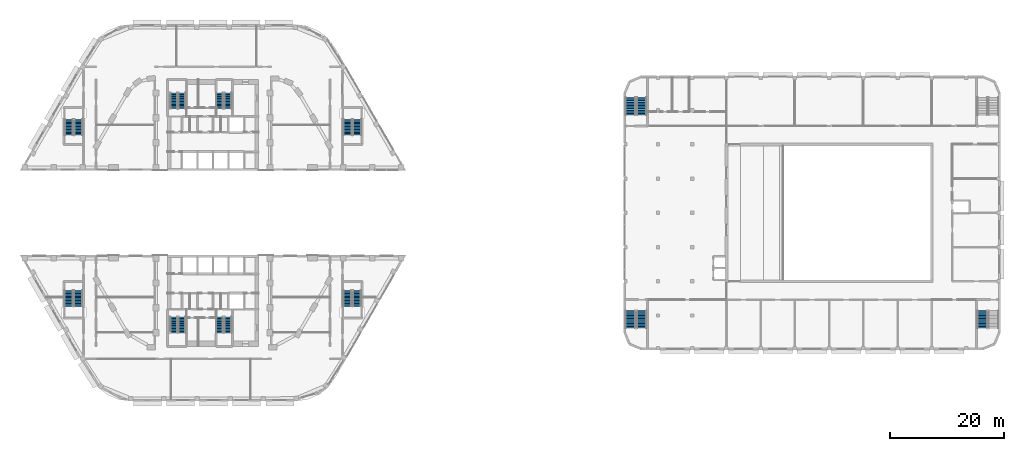
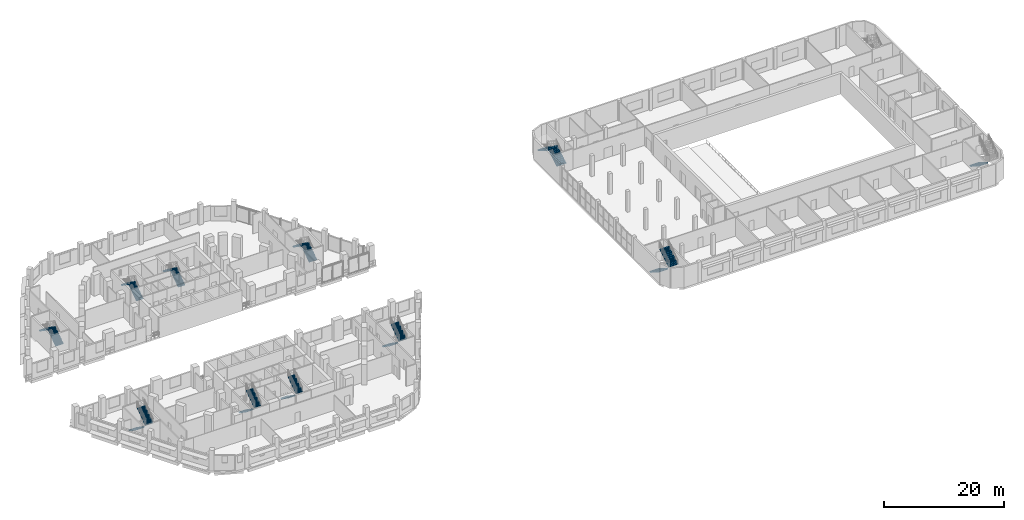
# One storey, part 25 of 45: 21 stair flights, 11 elements without a shape of their own.
"""IFC4 building model written with IfcOpenShell, lengths in metres."""

from ifc_helpers import new_model, si_unit, direction, frame, origin, place, context, subcontext, project, spatial, polyline, outline, extrude, material, type_object, element, aggregate, save


model = new_model("IFC4")

# Units and contexts
model_context = context("Model", 3, precision=1e-05, world=origin(), true_north=direction((0.0, 1.0)))
body_context = subcontext(model_context, "Body", "Model", "MODEL_VIEW")
ifc_project = project(units=[si_unit("LENGTHUNIT", "METRE"), si_unit("AREAUNIT", "SQUARE_METRE"), si_unit("VOLUMEUNIT", "CUBIC_METRE"), si_unit("PLANEANGLEUNIT", "RADIAN"), si_unit("MASSUNIT", "GRAM", prefix="KILO")], contexts=[model_context])

# Site, building, storey
site_placement = place(None, origin())
site = spatial("IfcSite", under=ifc_project, at=site_placement, CompositionType="ELEMENT")
building_placement = place(site_placement, origin())
building = spatial("IfcBuilding", under=site, at=building_placement, Name="Nakaniwa Court", CompositionType="ELEMENT")
storey_placement = place(building_placement, frame((0.0, 0.0, 11.39990234375)))
storey = spatial("IfcBuildingStorey", under=building, at=storey_placement, Name="L02", CompositionType="ELEMENT", Elevation=11.39990234375)

# Stair, stair flights
ifc_material_1 = material(Name="Concrete C40/50", Category="concrete")
stair_type_1 = type_object("IfcStairType", Name="Hall exit stair 24 risers", PredefinedType="HALF_TURN_STAIR", material=ifc_material_1)
stair_1_placement = place(storey_placement, origin())
stair_1 = element("IfcStair", 1, at=stair_1_placement, inside=storey, type_object=stair_type_1, Name="L02 Exit stair 1", PredefinedType="HALF_TURN_STAIR")
stair_flight_type_1 = type_object("IfcStairFlightType", Name="Hall stair flight 12 risers", PredefinedType="STRAIGHT", material=ifc_material_1)
stair_flight_1_placement = place(storey_placement, frame((153.199951171875, 62.860107421875, 0.0), z_axis=(0.0, 0.0, 1.0), x_axis=(0.0, -1.0, 0.0)))
stair_flight_1 = element("IfcStairFlight", 2, at=stair_flight_1_placement, type_object=stair_flight_type_1, Name="ST-H1 flight 1", NumberOfRisers=12, NumberOfTreads=11, PredefinedType="STRAIGHT", RiserHeight=0.175, TreadLength=0.28, context=body_context, shape_type="SweptSolid", body=[
    extrude(outline(polyline([(0.0, 0.0), (0.0, 0.02490234375), (0.0, 0.050048828125), (0.0, 0.074951171875), (0.0, 0.10009765625), (0.0, 0.125), (0.0, 0.14990234375), (0.0, 0.175048828125), (0.280029296875, 0.175048828125), (0.280029296875, 0.35009765625), (0.56005859375, 0.35009765625), (0.56005859375, 0.52490234375), (0.840087890625, 0.52490234375), (0.840087890625, 0.699951171875), (1.1201171875, 0.699951171875), (1.1201171875, 0.875), (1.39990234375, 0.875), (1.39990234375, 1.050048828125), (1.679931640625, 1.050048828125), (1.679931640625, 1.22509765625), (1.9599609375, 1.22509765625), (1.9599609375, 1.39990234375), (2.239990234375, 1.39990234375), (2.239990234375, 1.574951171875), (2.52001953125, 1.574951171875), (2.52001953125, 1.75), (2.800048828125, 1.75), (2.800048828125, 1.925048828125), (3.080078125, 1.925048828125), (3.080078125, 2.10009765625), (3.080078125, 2.0498046875), (3.080078125, 1.99951171875), (3.080078125, 1.94921875), (3.080078125, 1.89892578125), (3.080078125, 1.8486328125), (3.080078125, 1.798583984375), (3.080078125, 1.748291015625), (0.28271484375, 0.0), (0.0, 0.0)])), frame((0.0, 0.89990234375, 0.0), z_axis=(0.0, -1.0, 0.0), x_axis=(1.0, 0.0, 0.0)), (0.0, 0.0, 1.0), 1.800048828125),
])
stair_flight_2_placement = place(storey_placement, frame((155.14990234375, 59.780029296875, 2.10009765625), z_axis=(0.0, 0.0, 1.0), x_axis=(0.0, 1.0, 0.0)))
stair_flight_2 = element("IfcStairFlight", 3, at=stair_flight_2_placement, type_object=stair_flight_type_1, Name="ST-H1 flight 2", NumberOfRisers=12, NumberOfTreads=11, PredefinedType="STRAIGHT", RiserHeight=0.175, TreadLength=0.28, context=body_context, shape_type="SweptSolid", body=[
    extrude(outline(polyline([(0.0, 0.0), (0.0, 0.02490234375), (0.0, 0.050048828125), (0.0, 0.074951171875), (0.0, 0.10009765625), (0.0, 0.125), (0.0, 0.14990234375), (0.0, 0.175048828125), (0.280029296875, 0.175048828125), (0.280029296875, 0.35009765625), (0.56005859375, 0.35009765625), (0.56005859375, 0.52490234375), (0.840087890625, 0.52490234375), (0.840087890625, 0.699951171875), (1.1201171875, 0.699951171875), (1.1201171875, 0.875), (1.39990234375, 0.875), (1.39990234375, 1.050048828125), (1.679931640625, 1.050048828125), (1.679931640625, 1.22509765625), (1.9599609375, 1.22509765625), (1.9599609375, 1.39990234375), (2.239990234375, 1.39990234375), (2.239990234375, 1.574951171875), (2.52001953125, 1.574951171875), (2.52001953125, 1.75), (2.800048828125, 1.75), (2.800048828125, 1.925048828125), (3.080078125, 1.925048828125), (3.080078125, 2.10009765625), (3.080078125, 2.0498046875), (3.080078125, 1.99951171875), (3.080078125, 1.94921875), (3.080078125, 1.89892578125), (3.080078125, 1.8486328125), (3.080078125, 1.798583984375), (3.080078125, 1.748291015625), (0.28271484375, 0.0), (0.0, 0.0)])), frame((0.0, 0.89990234375, 0.0), z_axis=(0.0, -1.0, 0.0), x_axis=(1.0, 0.0, 0.0)), (0.0, 0.0, 1.0), 1.800048828125),
])
aggregate(stair_1, [stair_flight_1, stair_flight_2])

stair_2_placement = place(storey_placement, origin())
stair_2 = element("IfcStair", 4, at=stair_2_placement, inside=storey, type_object=stair_type_1, Name="L02 Exit stair 2", PredefinedType="HALF_TURN_STAIR")
stair_flight_3_placement = place(storey_placement, frame((155.14990234375, 97.139892578125, 0.0), z_axis=(0.0, 0.0, 1.0), x_axis=(0.0, 1.0, 0.0)))
stair_flight_3 = element("IfcStairFlight", 5, at=stair_flight_3_placement, type_object=stair_flight_type_1, Name="ST-H2 flight 1", NumberOfRisers=12, NumberOfTreads=11, PredefinedType="STRAIGHT", RiserHeight=0.175, TreadLength=0.28, context=body_context, shape_type="SweptSolid", body=[
    extrude(outline(polyline([(0.0, 0.0), (0.0, 0.02490234375), (0.0, 0.050048828125), (0.0, 0.074951171875), (0.0, 0.10009765625), (0.0, 0.125), (0.0, 0.14990234375), (0.0, 0.175048828125), (0.280029296875, 0.175048828125), (0.280029296875, 0.35009765625), (0.56005859375, 0.35009765625), (0.56005859375, 0.52490234375), (0.840087890625, 0.52490234375), (0.840087890625, 0.699951171875), (1.1201171875, 0.699951171875), (1.1201171875, 0.875), (1.39990234375, 0.875), (1.39990234375, 1.050048828125), (1.679931640625, 1.050048828125), (1.679931640625, 1.22509765625), (1.9599609375, 1.22509765625), (1.9599609375, 1.39990234375), (2.239990234375, 1.39990234375), (2.239990234375, 1.574951171875), (2.52001953125, 1.574951171875), (2.52001953125, 1.75), (2.800048828125, 1.75), (2.800048828125, 1.925048828125), (3.080078125, 1.925048828125), (3.080078125, 2.10009765625), (3.080078125, 2.0498046875), (3.080078125, 1.99951171875), (3.080078125, 1.94921875), (3.080078125, 1.89892578125), (3.080078125, 1.8486328125), (3.080078125, 1.798583984375), (3.080078125, 1.748291015625), (0.28271484375, 0.0), (0.0, 0.0)])), frame((0.0, 0.89990234375, 0.0), z_axis=(0.0, -1.0, 0.0), x_axis=(1.0, 0.0, 0.0)), (0.0, 0.0, 1.0), 1.800048828125),
])
stair_flight_4_placement = place(storey_placement, frame((153.199951171875, 100.219970703125, 2.10009765625), z_axis=(0.0, 0.0, 1.0), x_axis=(0.0, -1.0, 0.0)))
stair_flight_4 = element("IfcStairFlight", 6, at=stair_flight_4_placement, type_object=stair_flight_type_1, Name="ST-H2 flight 2", NumberOfRisers=12, NumberOfTreads=11, PredefinedType="STRAIGHT", RiserHeight=0.175, TreadLength=0.28, context=body_context, shape_type="SweptSolid", body=[
    extrude(outline(polyline([(0.0, 0.0), (0.0, 0.02490234375), (0.0, 0.050048828125), (0.0, 0.074951171875), (0.0, 0.10009765625), (0.0, 0.125), (0.0, 0.14990234375), (0.0, 0.175048828125), (0.280029296875, 0.175048828125), (0.280029296875, 0.35009765625), (0.56005859375, 0.35009765625), (0.56005859375, 0.52490234375), (0.840087890625, 0.52490234375), (0.840087890625, 0.699951171875), (1.1201171875, 0.699951171875), (1.1201171875, 0.875), (1.39990234375, 0.875), (1.39990234375, 1.050048828125), (1.679931640625, 1.050048828125), (1.679931640625, 1.22509765625), (1.9599609375, 1.22509765625), (1.9599609375, 1.39990234375), (2.239990234375, 1.39990234375), (2.239990234375, 1.574951171875), (2.52001953125, 1.574951171875), (2.52001953125, 1.75), (2.800048828125, 1.75), (2.800048828125, 1.925048828125), (3.080078125, 1.925048828125), (3.080078125, 2.10009765625), (3.080078125, 2.0498046875), (3.080078125, 1.99951171875), (3.080078125, 1.94921875), (3.080078125, 1.89892578125), (3.080078125, 1.8486328125), (3.080078125, 1.798583984375), (3.080078125, 1.748291015625), (0.28271484375, 0.0), (0.0, 0.0)])), frame((0.0, 0.89990234375, 0.0), z_axis=(0.0, -1.0, 0.0), x_axis=(1.0, 0.0, 0.0)), (0.0, 0.0, 1.0), 1.800048828125),
])
aggregate(stair_2, [stair_flight_3, stair_flight_4])

# Stair, stair flight
stair_3_placement = place(storey_placement, origin())
stair_3 = element("IfcStair", 7, at=stair_3_placement, inside=storey, type_object=stair_type_1, Name="L02 Exit stair 3", PredefinedType="HALF_TURN_STAIR")
stair_flight_5_placement = place(storey_placement, frame((214.85009765625, 62.860107421875, 0.0), z_axis=(0.0, 0.0, 1.0), x_axis=(0.0, -1.0, 0.0)))
stair_flight_5 = element("IfcStairFlight", 8, at=stair_flight_5_placement, type_object=stair_flight_type_1, Name="ST-H3 flight 1", NumberOfRisers=12, NumberOfTreads=11, PredefinedType="STRAIGHT", RiserHeight=0.175, TreadLength=0.28, context=body_context, shape_type="SweptSolid", body=[
    extrude(outline(polyline([(0.0, 0.0), (0.0, 0.02490234375), (0.0, 0.050048828125), (0.0, 0.074951171875), (0.0, 0.10009765625), (0.0, 0.125), (0.0, 0.14990234375), (0.0, 0.175048828125), (0.280029296875, 0.175048828125), (0.280029296875, 0.35009765625), (0.56005859375, 0.35009765625), (0.56005859375, 0.52490234375), (0.840087890625, 0.52490234375), (0.840087890625, 0.699951171875), (1.1201171875, 0.699951171875), (1.1201171875, 0.875), (1.39990234375, 0.875), (1.39990234375, 1.050048828125), (1.679931640625, 1.050048828125), (1.679931640625, 1.22509765625), (1.9599609375, 1.22509765625), (1.9599609375, 1.39990234375), (2.239990234375, 1.39990234375), (2.239990234375, 1.574951171875), (2.52001953125, 1.574951171875), (2.52001953125, 1.75), (2.800048828125, 1.75), (2.800048828125, 1.925048828125), (3.080078125, 1.925048828125), (3.080078125, 2.10009765625), (3.080078125, 2.0498046875), (3.080078125, 1.99951171875), (3.080078125, 1.94921875), (3.080078125, 1.89892578125), (3.080078125, 1.8486328125), (3.080078125, 1.798583984375), (3.080078125, 1.748291015625), (0.28271484375, 0.0), (0.0, 0.0)])), frame((0.0, 0.89990234375, 0.0), z_axis=(0.0, -1.0, 0.0), x_axis=(1.0, 0.0, 0.0)), (0.0, 0.0, 1.0), 1.800048828125),
])
aggregate(stair_3, [stair_flight_5])

# Stair, stair flights
ifc_material_2 = material(Name="Concrete C80/100", Category="concrete")
stair_type_2 = type_object("IfcStairType", Name="Dog leg stair 1300 wide 24 risers", PredefinedType="HALF_TURN_STAIR", material=ifc_material_2)
stair_4_placement = place(storey_placement, origin())
stair_4 = element("IfcStair", 9, at=stair_4_placement, inside=storey, type_object=stair_type_2, Name="L02 Stair ST1", PredefinedType="HALF_TURN_STAIR")
stair_flight_type_2 = type_object("IfcStairFlightType", Name="Stair flight 1300 wide 12 risers", PredefinedType="STRAIGHT", material=ifc_material_2)
stair_flight_6_placement = place(storey_placement, frame((74.574951171875, 98.27490234375, 0.0), z_axis=(0.0, 0.0, 1.0), x_axis=(0.0, 1.0, 0.0)))
stair_flight_6 = element("IfcStairFlight", 10, at=stair_flight_6_placement, type_object=stair_flight_type_2, Name="ST1 flight 1", NumberOfRisers=12, NumberOfTreads=11, PredefinedType="STRAIGHT", RiserHeight=0.175, TreadLength=0.25, context=body_context, shape_type="SweptSolid", body=[
    extrude(outline(polyline([(0.0, 0.0), (0.0, 0.02490234375), (0.0, 0.050048828125), (0.0, 0.074951171875), (0.0, 0.10009765625), (0.0, 0.125), (0.0, 0.14990234375), (0.0, 0.175048828125), (0.25, 0.175048828125), (0.25, 0.35009765625), (0.5, 0.35009765625), (0.5, 0.52490234375), (0.75, 0.52490234375), (0.75, 0.699951171875), (1.0, 0.699951171875), (1.0, 0.875), (1.25, 0.875), (1.25, 1.050048828125), (1.5, 1.050048828125), (1.5, 1.22509765625), (1.75, 1.22509765625), (1.75, 1.39990234375), (2.0, 1.39990234375), (2.0, 1.574951171875), (2.25, 1.574951171875), (2.25, 1.75), (2.5, 1.75), (2.5, 1.925048828125), (2.75, 1.925048828125), (2.75, 2.10009765625), (2.75, 2.048828125), (2.75, 1.997802734375), (2.75, 1.946533203125), (2.75, 1.8955078125), (2.75, 1.84423828125), (2.75, 1.793212890625), (2.75, 1.741943359375), (0.261474609375, 0.0), (0.0, 0.0)])), frame((0.0, 0.64990234375, 0.0), z_axis=(0.0, -1.0, 0.0), x_axis=(1.0, 0.0, 0.0)), (0.0, 0.0, 1.0), 1.300048828125),
])
stair_flight_7_placement = place(storey_placement, frame((73.125, 101.02490234375, 2.10009765625), z_axis=(0.0, 0.0, 1.0), x_axis=(0.0, -1.0, 0.0)))
stair_flight_7 = element("IfcStairFlight", 11, at=stair_flight_7_placement, type_object=stair_flight_type_2, Name="ST1 flight 2", NumberOfRisers=12, NumberOfTreads=11, PredefinedType="STRAIGHT", RiserHeight=0.175, TreadLength=0.25, context=body_context, shape_type="SweptSolid", body=[
    extrude(outline(polyline([(0.0, 0.0), (0.0, 0.02490234375), (0.0, 0.050048828125), (0.0, 0.074951171875), (0.0, 0.10009765625), (0.0, 0.125), (0.0, 0.14990234375), (0.0, 0.175048828125), (0.25, 0.175048828125), (0.25, 0.35009765625), (0.5, 0.35009765625), (0.5, 0.52490234375), (0.75, 0.52490234375), (0.75, 0.699951171875), (1.0, 0.699951171875), (1.0, 0.875), (1.25, 0.875), (1.25, 1.050048828125), (1.5, 1.050048828125), (1.5, 1.22509765625), (1.75, 1.22509765625), (1.75, 1.39990234375), (2.0, 1.39990234375), (2.0, 1.574951171875), (2.25, 1.574951171875), (2.25, 1.75), (2.5, 1.75), (2.5, 1.925048828125), (2.75, 1.925048828125), (2.75, 2.10009765625), (2.75, 2.048828125), (2.75, 1.997802734375), (2.75, 1.946533203125), (2.75, 1.8955078125), (2.75, 1.84423828125), (2.75, 1.793212890625), (2.75, 1.741943359375), (0.261474609375, 0.0), (0.0, 0.0)])), frame((0.0, 0.64990234375, 0.0), z_axis=(0.0, -1.0, 0.0), x_axis=(1.0, 0.0, 0.0)), (0.0, 0.0, 1.0), 1.300048828125),
])
aggregate(stair_4, [stair_flight_6, stair_flight_7])

stair_5_placement = place(storey_placement, origin())
stair_5 = element("IfcStair", 12, at=stair_5_placement, inside=storey, type_object=stair_type_2, Name="L02 Stair ST2", PredefinedType="HALF_TURN_STAIR")
stair_flight_8_placement = place(storey_placement, frame((82.625, 98.27490234375, 0.0), z_axis=(0.0, 0.0, 1.0), x_axis=(0.0, 1.0, 0.0)))
stair_flight_8 = element("IfcStairFlight", 13, at=stair_flight_8_placement, type_object=stair_flight_type_2, Name="ST2 flight 1", NumberOfRisers=12, NumberOfTreads=11, PredefinedType="STRAIGHT", RiserHeight=0.175, TreadLength=0.25, context=body_context, shape_type="SweptSolid", body=[
    extrude(outline(polyline([(0.0, 0.0), (0.0, 0.02490234375), (0.0, 0.050048828125), (0.0, 0.074951171875), (0.0, 0.10009765625), (0.0, 0.125), (0.0, 0.14990234375), (0.0, 0.175048828125), (0.25, 0.175048828125), (0.25, 0.35009765625), (0.5, 0.35009765625), (0.5, 0.52490234375), (0.75, 0.52490234375), (0.75, 0.699951171875), (1.0, 0.699951171875), (1.0, 0.875), (1.25, 0.875), (1.25, 1.050048828125), (1.5, 1.050048828125), (1.5, 1.22509765625), (1.75, 1.22509765625), (1.75, 1.39990234375), (2.0, 1.39990234375), (2.0, 1.574951171875), (2.25, 1.574951171875), (2.25, 1.75), (2.5, 1.75), (2.5, 1.925048828125), (2.75, 1.925048828125), (2.75, 2.10009765625), (2.75, 2.048828125), (2.75, 1.997802734375), (2.75, 1.946533203125), (2.75, 1.8955078125), (2.75, 1.84423828125), (2.75, 1.793212890625), (2.75, 1.741943359375), (0.261474609375, 0.0), (0.0, 0.0)])), frame((0.0, 0.64990234375, 0.0), z_axis=(0.0, -1.0, 0.0), x_axis=(1.0, 0.0, 0.0)), (0.0, 0.0, 1.0), 1.300048828125),
])
stair_flight_9_placement = place(storey_placement, frame((81.175048828125, 101.02490234375, 2.10009765625), z_axis=(0.0, 0.0, 1.0), x_axis=(0.0, -1.0, 0.0)))
stair_flight_9 = element("IfcStairFlight", 14, at=stair_flight_9_placement, type_object=stair_flight_type_2, Name="ST2 flight 2", NumberOfRisers=12, NumberOfTreads=11, PredefinedType="STRAIGHT", RiserHeight=0.175, TreadLength=0.25, context=body_context, shape_type="SweptSolid", body=[
    extrude(outline(polyline([(0.0, 0.0), (0.0, 0.02490234375), (0.0, 0.050048828125), (0.0, 0.074951171875), (0.0, 0.10009765625), (0.0, 0.125), (0.0, 0.14990234375), (0.0, 0.175048828125), (0.25, 0.175048828125), (0.25, 0.35009765625), (0.5, 0.35009765625), (0.5, 0.52490234375), (0.75, 0.52490234375), (0.75, 0.699951171875), (1.0, 0.699951171875), (1.0, 0.875), (1.25, 0.875), (1.25, 1.050048828125), (1.5, 1.050048828125), (1.5, 1.22509765625), (1.75, 1.22509765625), (1.75, 1.39990234375), (2.0, 1.39990234375), (2.0, 1.574951171875), (2.25, 1.574951171875), (2.25, 1.75), (2.5, 1.75), (2.5, 1.925048828125), (2.75, 1.925048828125), (2.75, 2.10009765625), (2.75, 2.048828125), (2.75, 1.997802734375), (2.75, 1.946533203125), (2.75, 1.8955078125), (2.75, 1.84423828125), (2.75, 1.793212890625), (2.75, 1.741943359375), (0.261474609375, 0.0), (0.0, 0.0)])), frame((0.0, 0.64990234375, 0.0), z_axis=(0.0, -1.0, 0.0), x_axis=(1.0, 0.0, 0.0)), (0.0, 0.0, 1.0), 1.300048828125),
])
aggregate(stair_5, [stair_flight_8, stair_flight_9])

stair_6_placement = place(storey_placement, origin())
stair_6 = element("IfcStair", 15, at=stair_6_placement, inside=storey, type_object=stair_type_2, Name="L02 Stair ST3", PredefinedType="HALF_TURN_STAIR")
stair_flight_10_placement = place(storey_placement, frame((73.125, 61.72509765625, 0.0), z_axis=(0.0, 0.0, 1.0), x_axis=(0.0, -1.0, 0.0)))
stair_flight_10 = element("IfcStairFlight", 16, at=stair_flight_10_placement, type_object=stair_flight_type_2, Name="ST3 flight 1", NumberOfRisers=12, NumberOfTreads=11, PredefinedType="STRAIGHT", RiserHeight=0.175, TreadLength=0.25, context=body_context, shape_type="SweptSolid", body=[
    extrude(outline(polyline([(0.0, 0.0), (0.0, 0.02490234375), (0.0, 0.050048828125), (0.0, 0.074951171875), (0.0, 0.10009765625), (0.0, 0.125), (0.0, 0.14990234375), (0.0, 0.175048828125), (0.25, 0.175048828125), (0.25, 0.35009765625), (0.5, 0.35009765625), (0.5, 0.52490234375), (0.75, 0.52490234375), (0.75, 0.699951171875), (1.0, 0.699951171875), (1.0, 0.875), (1.25, 0.875), (1.25, 1.050048828125), (1.5, 1.050048828125), (1.5, 1.22509765625), (1.75, 1.22509765625), (1.75, 1.39990234375), (2.0, 1.39990234375), (2.0, 1.574951171875), (2.25, 1.574951171875), (2.25, 1.75), (2.5, 1.75), (2.5, 1.925048828125), (2.75, 1.925048828125), (2.75, 2.10009765625), (2.75, 2.048828125), (2.75, 1.997802734375), (2.75, 1.946533203125), (2.75, 1.8955078125), (2.75, 1.84423828125), (2.75, 1.793212890625), (2.75, 1.741943359375), (0.261474609375, 0.0), (0.0, 0.0)])), frame((0.0, 0.64990234375, 0.0), z_axis=(0.0, -1.0, 0.0), x_axis=(1.0, 0.0, 0.0)), (0.0, 0.0, 1.0), 1.300048828125),
])
stair_flight_11_placement = place(storey_placement, frame((74.574951171875, 58.97509765625, 2.10009765625), z_axis=(0.0, 0.0, 1.0), x_axis=(0.0, 1.0, 0.0)))
stair_flight_11 = element("IfcStairFlight", 17, at=stair_flight_11_placement, type_object=stair_flight_type_2, Name="ST3 flight 2", NumberOfRisers=12, NumberOfTreads=11, PredefinedType="STRAIGHT", RiserHeight=0.175, TreadLength=0.25, context=body_context, shape_type="SweptSolid", body=[
    extrude(outline(polyline([(0.0, 0.0), (0.0, 0.02490234375), (0.0, 0.050048828125), (0.0, 0.074951171875), (0.0, 0.10009765625), (0.0, 0.125), (0.0, 0.14990234375), (0.0, 0.175048828125), (0.25, 0.175048828125), (0.25, 0.35009765625), (0.5, 0.35009765625), (0.5, 0.52490234375), (0.75, 0.52490234375), (0.75, 0.699951171875), (1.0, 0.699951171875), (1.0, 0.875), (1.25, 0.875), (1.25, 1.050048828125), (1.5, 1.050048828125), (1.5, 1.22509765625), (1.75, 1.22509765625), (1.75, 1.39990234375), (2.0, 1.39990234375), (2.0, 1.574951171875), (2.25, 1.574951171875), (2.25, 1.75), (2.5, 1.75), (2.5, 1.925048828125), (2.75, 1.925048828125), (2.75, 2.10009765625), (2.75, 2.048828125), (2.75, 1.997802734375), (2.75, 1.946533203125), (2.75, 1.8955078125), (2.75, 1.84423828125), (2.75, 1.793212890625), (2.75, 1.741943359375), (0.261474609375, 0.0), (0.0, 0.0)])), frame((0.0, 0.64990234375, 0.0), z_axis=(0.0, -1.0, 0.0), x_axis=(1.0, 0.0, 0.0)), (0.0, 0.0, 1.0), 1.300048828125),
])
aggregate(stair_6, [stair_flight_10, stair_flight_11])

stair_7_placement = place(storey_placement, origin())
stair_7 = element("IfcStair", 18, at=stair_7_placement, inside=storey, type_object=stair_type_2, Name="L02 Stair ST4", PredefinedType="HALF_TURN_STAIR")
stair_flight_12_placement = place(storey_placement, frame((81.175048828125, 61.72509765625, 0.0), z_axis=(0.0, 0.0, 1.0), x_axis=(0.0, -1.0, 0.0)))
stair_flight_12 = element("IfcStairFlight", 19, at=stair_flight_12_placement, type_object=stair_flight_type_2, Name="ST4 flight 1", NumberOfRisers=12, NumberOfTreads=11, PredefinedType="STRAIGHT", RiserHeight=0.175, TreadLength=0.25, context=body_context, shape_type="SweptSolid", body=[
    extrude(outline(polyline([(0.0, 0.0), (0.0, 0.02490234375), (0.0, 0.050048828125), (0.0, 0.074951171875), (0.0, 0.10009765625), (0.0, 0.125), (0.0, 0.14990234375), (0.0, 0.175048828125), (0.25, 0.175048828125), (0.25, 0.35009765625), (0.5, 0.35009765625), (0.5, 0.52490234375), (0.75, 0.52490234375), (0.75, 0.699951171875), (1.0, 0.699951171875), (1.0, 0.875), (1.25, 0.875), (1.25, 1.050048828125), (1.5, 1.050048828125), (1.5, 1.22509765625), (1.75, 1.22509765625), (1.75, 1.39990234375), (2.0, 1.39990234375), (2.0, 1.574951171875), (2.25, 1.574951171875), (2.25, 1.75), (2.5, 1.75), (2.5, 1.925048828125), (2.75, 1.925048828125), (2.75, 2.10009765625), (2.75, 2.048828125), (2.75, 1.997802734375), (2.75, 1.946533203125), (2.75, 1.8955078125), (2.75, 1.84423828125), (2.75, 1.793212890625), (2.75, 1.741943359375), (0.261474609375, 0.0), (0.0, 0.0)])), frame((0.0, 0.64990234375, 0.0), z_axis=(0.0, -1.0, 0.0), x_axis=(1.0, 0.0, 0.0)), (0.0, 0.0, 1.0), 1.300048828125),
])
stair_flight_13_placement = place(storey_placement, frame((82.625, 58.97509765625, 2.10009765625), z_axis=(0.0, 0.0, 1.0), x_axis=(0.0, 1.0, 0.0)))
stair_flight_13 = element("IfcStairFlight", 20, at=stair_flight_13_placement, type_object=stair_flight_type_2, Name="ST4 flight 2", NumberOfRisers=12, NumberOfTreads=11, PredefinedType="STRAIGHT", RiserHeight=0.175, TreadLength=0.25, context=body_context, shape_type="SweptSolid", body=[
    extrude(outline(polyline([(0.0, 0.0), (0.0, 0.02490234375), (0.0, 0.050048828125), (0.0, 0.074951171875), (0.0, 0.10009765625), (0.0, 0.125), (0.0, 0.14990234375), (0.0, 0.175048828125), (0.25, 0.175048828125), (0.25, 0.35009765625), (0.5, 0.35009765625), (0.5, 0.52490234375), (0.75, 0.52490234375), (0.75, 0.699951171875), (1.0, 0.699951171875), (1.0, 0.875), (1.25, 0.875), (1.25, 1.050048828125), (1.5, 1.050048828125), (1.5, 1.22509765625), (1.75, 1.22509765625), (1.75, 1.39990234375), (2.0, 1.39990234375), (2.0, 1.574951171875), (2.25, 1.574951171875), (2.25, 1.75), (2.5, 1.75), (2.5, 1.925048828125), (2.75, 1.925048828125), (2.75, 2.10009765625), (2.75, 2.048828125), (2.75, 1.997802734375), (2.75, 1.946533203125), (2.75, 1.8955078125), (2.75, 1.84423828125), (2.75, 1.793212890625), (2.75, 1.741943359375), (0.261474609375, 0.0), (0.0, 0.0)])), frame((0.0, 0.64990234375, 0.0), z_axis=(0.0, -1.0, 0.0), x_axis=(1.0, 0.0, 0.0)), (0.0, 0.0, 1.0), 1.300048828125),
])
aggregate(stair_7, [stair_flight_12, stair_flight_13])

stair_type_3 = type_object("IfcStairType", Name="Dog leg stair 1500 wide 24 risers", PredefinedType="HALF_TURN_STAIR", material=ifc_material_2)
stair_8_placement = place(storey_placement, origin())
stair_8 = element("IfcStair", 21, at=stair_8_placement, inside=storey, type_object=stair_type_3, Name="L02 Stair SS1", PredefinedType="HALF_TURN_STAIR")
stair_flight_type_3 = type_object("IfcStairFlightType", Name="Stair flight 1500 wide 12 risers", PredefinedType="STRAIGHT", material=ifc_material_2)
stair_flight_14_placement = place(storey_placement, frame((105.27490234375, 93.625, 0.0), z_axis=(0.0, 0.0, 1.0), x_axis=(0.0, 1.0, 0.0)))
stair_flight_14 = element("IfcStairFlight", 22, at=stair_flight_14_placement, type_object=stair_flight_type_3, Name="SS1 flight 1", NumberOfRisers=12, NumberOfTreads=11, PredefinedType="STRAIGHT", RiserHeight=0.175, TreadLength=0.25, context=body_context, shape_type="SweptSolid", body=[
    extrude(outline(polyline([(0.0, 0.0), (0.0, 0.02490234375), (0.0, 0.050048828125), (0.0, 0.074951171875), (0.0, 0.10009765625), (0.0, 0.125), (0.0, 0.14990234375), (0.0, 0.175048828125), (0.25, 0.175048828125), (0.25, 0.35009765625), (0.5, 0.35009765625), (0.5, 0.52490234375), (0.75, 0.52490234375), (0.75, 0.699951171875), (1.0, 0.699951171875), (1.0, 0.875), (1.25, 0.875), (1.25, 1.050048828125), (1.5, 1.050048828125), (1.5, 1.22509765625), (1.75, 1.22509765625), (1.75, 1.39990234375), (2.0, 1.39990234375), (2.0, 1.574951171875), (2.25, 1.574951171875), (2.25, 1.75), (2.5, 1.75), (2.5, 1.925048828125), (2.75, 1.925048828125), (2.75, 2.10009765625), (2.75, 2.048828125), (2.75, 1.997802734375), (2.75, 1.946533203125), (2.75, 1.8955078125), (2.75, 1.84423828125), (2.75, 1.793212890625), (2.75, 1.741943359375), (0.261474609375, 0.0), (0.0, 0.0)])), frame((0.0, 0.75, 0.0), z_axis=(0.0, -1.0, 0.0), x_axis=(1.0, 0.0, 0.0)), (0.0, 0.0, 1.0), 1.5),
])
stair_flight_15_placement = place(storey_placement, frame((103.625, 96.375, 2.10009765625), z_axis=(0.0, 0.0, 1.0), x_axis=(0.0, -1.0, 0.0)))
stair_flight_15 = element("IfcStairFlight", 23, at=stair_flight_15_placement, type_object=stair_flight_type_3, Name="SS1 flight 2", NumberOfRisers=12, NumberOfTreads=11, PredefinedType="STRAIGHT", RiserHeight=0.175, TreadLength=0.25, context=body_context, shape_type="SweptSolid", body=[
    extrude(outline(polyline([(0.0, 0.0), (0.0, 0.02490234375), (0.0, 0.050048828125), (0.0, 0.074951171875), (0.0, 0.10009765625), (0.0, 0.125), (0.0, 0.14990234375), (0.0, 0.175048828125), (0.25, 0.175048828125), (0.25, 0.35009765625), (0.5, 0.35009765625), (0.5, 0.52490234375), (0.75, 0.52490234375), (0.75, 0.699951171875), (1.0, 0.699951171875), (1.0, 0.875), (1.25, 0.875), (1.25, 1.050048828125), (1.5, 1.050048828125), (1.5, 1.22509765625), (1.75, 1.22509765625), (1.75, 1.39990234375), (2.0, 1.39990234375), (2.0, 1.574951171875), (2.25, 1.574951171875), (2.25, 1.75), (2.5, 1.75), (2.5, 1.925048828125), (2.75, 1.925048828125), (2.75, 2.10009765625), (2.75, 2.048828125), (2.75, 1.997802734375), (2.75, 1.946533203125), (2.75, 1.8955078125), (2.75, 1.84423828125), (2.75, 1.793212890625), (2.75, 1.741943359375), (0.261474609375, 0.0), (0.0, 0.0)])), frame((0.0, 0.75, 0.0), z_axis=(0.0, -1.0, 0.0), x_axis=(1.0, 0.0, 0.0)), (0.0, 0.0, 1.0), 1.5),
])
aggregate(stair_8, [stair_flight_14, stair_flight_15])

stair_9_placement = place(storey_placement, origin())
stair_9 = element("IfcStair", 24, at=stair_9_placement, inside=storey, type_object=stair_type_3, Name="L02 Stair SS2", PredefinedType="HALF_TURN_STAIR")
stair_flight_16_placement = place(storey_placement, frame((56.425048828125, 93.625, 0.0), z_axis=(0.0, 0.0, 1.0), x_axis=(0.0, 1.0, 0.0)))
stair_flight_16 = element("IfcStairFlight", 25, at=stair_flight_16_placement, type_object=stair_flight_type_3, Name="SS2 flight 1", NumberOfRisers=12, NumberOfTreads=11, PredefinedType="STRAIGHT", RiserHeight=0.175, TreadLength=0.25, context=body_context, shape_type="SweptSolid", body=[
    extrude(outline(polyline([(0.0, 0.0), (0.0, 0.02490234375), (0.0, 0.050048828125), (0.0, 0.074951171875), (0.0, 0.10009765625), (0.0, 0.125), (0.0, 0.14990234375), (0.0, 0.175048828125), (0.25, 0.175048828125), (0.25, 0.35009765625), (0.5, 0.35009765625), (0.5, 0.52490234375), (0.75, 0.52490234375), (0.75, 0.699951171875), (1.0, 0.699951171875), (1.0, 0.875), (1.25, 0.875), (1.25, 1.050048828125), (1.5, 1.050048828125), (1.5, 1.22509765625), (1.75, 1.22509765625), (1.75, 1.39990234375), (2.0, 1.39990234375), (2.0, 1.574951171875), (2.25, 1.574951171875), (2.25, 1.75), (2.5, 1.75), (2.5, 1.925048828125), (2.75, 1.925048828125), (2.75, 2.10009765625), (2.75, 2.048828125), (2.75, 1.997802734375), (2.75, 1.946533203125), (2.75, 1.8955078125), (2.75, 1.84423828125), (2.75, 1.793212890625), (2.75, 1.741943359375), (0.261474609375, 0.0), (0.0, 0.0)])), frame((0.0, 0.75, 0.0), z_axis=(0.0, -1.0, 0.0), x_axis=(1.0, 0.0, 0.0)), (0.0, 0.0, 1.0), 1.5),
])
stair_flight_17_placement = place(storey_placement, frame((54.77490234375, 96.375, 2.10009765625), z_axis=(0.0, 0.0, 1.0), x_axis=(0.0, -1.0, 0.0)))
stair_flight_17 = element("IfcStairFlight", 26, at=stair_flight_17_placement, type_object=stair_flight_type_3, Name="SS2 flight 2", NumberOfRisers=12, NumberOfTreads=11, PredefinedType="STRAIGHT", RiserHeight=0.175, TreadLength=0.25, context=body_context, shape_type="SweptSolid", body=[
    extrude(outline(polyline([(0.0, 0.0), (0.0, 0.02490234375), (0.0, 0.050048828125), (0.0, 0.074951171875), (0.0, 0.10009765625), (0.0, 0.125), (0.0, 0.14990234375), (0.0, 0.175048828125), (0.25, 0.175048828125), (0.25, 0.35009765625), (0.5, 0.35009765625), (0.5, 0.52490234375), (0.75, 0.52490234375), (0.75, 0.699951171875), (1.0, 0.699951171875), (1.0, 0.875), (1.25, 0.875), (1.25, 1.050048828125), (1.5, 1.050048828125), (1.5, 1.22509765625), (1.75, 1.22509765625), (1.75, 1.39990234375), (2.0, 1.39990234375), (2.0, 1.574951171875), (2.25, 1.574951171875), (2.25, 1.75), (2.5, 1.75), (2.5, 1.925048828125), (2.75, 1.925048828125), (2.75, 2.10009765625), (2.75, 2.048828125), (2.75, 1.997802734375), (2.75, 1.946533203125), (2.75, 1.8955078125), (2.75, 1.84423828125), (2.75, 1.793212890625), (2.75, 1.741943359375), (0.261474609375, 0.0), (0.0, 0.0)])), frame((0.0, 0.75, 0.0), z_axis=(0.0, -1.0, 0.0), x_axis=(1.0, 0.0, 0.0)), (0.0, 0.0, 1.0), 1.5),
])
aggregate(stair_9, [stair_flight_16, stair_flight_17])

stair_10_placement = place(storey_placement, origin())
stair_10 = element("IfcStair", 27, at=stair_10_placement, inside=storey, type_object=stair_type_3, Name="L02 Stair SS3", PredefinedType="HALF_TURN_STAIR")
stair_flight_18_placement = place(storey_placement, frame((103.574951171875, 66.375, 0.0), z_axis=(0.0, 0.0, 1.0), x_axis=(0.0, -1.0, 0.0)))
stair_flight_18 = element("IfcStairFlight", 28, at=stair_flight_18_placement, type_object=stair_flight_type_3, Name="SS3 flight 1", NumberOfRisers=12, NumberOfTreads=11, PredefinedType="STRAIGHT", RiserHeight=0.175, TreadLength=0.25, context=body_context, shape_type="SweptSolid", body=[
    extrude(outline(polyline([(0.0, 0.0), (0.0, 0.02490234375), (0.0, 0.050048828125), (0.0, 0.074951171875), (0.0, 0.10009765625), (0.0, 0.125), (0.0, 0.14990234375), (0.0, 0.175048828125), (0.25, 0.175048828125), (0.25, 0.35009765625), (0.5, 0.35009765625), (0.5, 0.52490234375), (0.75, 0.52490234375), (0.75, 0.699951171875), (1.0, 0.699951171875), (1.0, 0.875), (1.25, 0.875), (1.25, 1.050048828125), (1.5, 1.050048828125), (1.5, 1.22509765625), (1.75, 1.22509765625), (1.75, 1.39990234375), (2.0, 1.39990234375), (2.0, 1.574951171875), (2.25, 1.574951171875), (2.25, 1.75), (2.5, 1.75), (2.5, 1.925048828125), (2.75, 1.925048828125), (2.75, 2.10009765625), (2.75, 2.048828125), (2.75, 1.997802734375), (2.75, 1.946533203125), (2.75, 1.8955078125), (2.75, 1.84423828125), (2.75, 1.793212890625), (2.75, 1.741943359375), (0.261474609375, 0.0), (0.0, 0.0)])), frame((0.0, 0.75, 0.0), z_axis=(0.0, -1.0, 0.0), x_axis=(1.0, 0.0, 0.0)), (0.0, 0.0, 1.0), 1.5),
])
stair_flight_19_placement = place(storey_placement, frame((105.22509765625, 63.625, 2.10009765625), z_axis=(0.0, 0.0, 1.0), x_axis=(0.0, 1.0, 0.0)))
stair_flight_19 = element("IfcStairFlight", 29, at=stair_flight_19_placement, type_object=stair_flight_type_3, Name="SS3 flight 2", NumberOfRisers=12, NumberOfTreads=11, PredefinedType="STRAIGHT", RiserHeight=0.175, TreadLength=0.25, context=body_context, shape_type="SweptSolid", body=[
    extrude(outline(polyline([(0.0, 0.0), (0.0, 0.02490234375), (0.0, 0.050048828125), (0.0, 0.074951171875), (0.0, 0.10009765625), (0.0, 0.125), (0.0, 0.14990234375), (0.0, 0.175048828125), (0.25, 0.175048828125), (0.25, 0.35009765625), (0.5, 0.35009765625), (0.5, 0.52490234375), (0.75, 0.52490234375), (0.75, 0.699951171875), (1.0, 0.699951171875), (1.0, 0.875), (1.25, 0.875), (1.25, 1.050048828125), (1.5, 1.050048828125), (1.5, 1.22509765625), (1.75, 1.22509765625), (1.75, 1.39990234375), (2.0, 1.39990234375), (2.0, 1.574951171875), (2.25, 1.574951171875), (2.25, 1.75), (2.5, 1.75), (2.5, 1.925048828125), (2.75, 1.925048828125), (2.75, 2.10009765625), (2.75, 2.048828125), (2.75, 1.997802734375), (2.75, 1.946533203125), (2.75, 1.8955078125), (2.75, 1.84423828125), (2.75, 1.793212890625), (2.75, 1.741943359375), (0.261474609375, 0.0), (0.0, 0.0)])), frame((0.0, 0.75, 0.0), z_axis=(0.0, -1.0, 0.0), x_axis=(1.0, 0.0, 0.0)), (0.0, 0.0, 1.0), 1.5),
])
aggregate(stair_10, [stair_flight_18, stair_flight_19])

stair_11_placement = place(storey_placement, origin())
stair_11 = element("IfcStair", 30, at=stair_11_placement, inside=storey, type_object=stair_type_3, Name="L02 Stair SS4", PredefinedType="HALF_TURN_STAIR")
stair_flight_20_placement = place(storey_placement, frame((54.72509765625, 66.375, 0.0), z_axis=(0.0, 0.0, 1.0), x_axis=(0.0, -1.0, 0.0)))
stair_flight_20 = element("IfcStairFlight", 31, at=stair_flight_20_placement, type_object=stair_flight_type_3, Name="SS4 flight 1", NumberOfRisers=12, NumberOfTreads=11, PredefinedType="STRAIGHT", RiserHeight=0.175, TreadLength=0.25, context=body_context, shape_type="SweptSolid", body=[
    extrude(outline(polyline([(0.0, 0.0), (0.0, 0.02490234375), (0.0, 0.050048828125), (0.0, 0.074951171875), (0.0, 0.10009765625), (0.0, 0.125), (0.0, 0.14990234375), (0.0, 0.175048828125), (0.25, 0.175048828125), (0.25, 0.35009765625), (0.5, 0.35009765625), (0.5, 0.52490234375), (0.75, 0.52490234375), (0.75, 0.699951171875), (1.0, 0.699951171875), (1.0, 0.875), (1.25, 0.875), (1.25, 1.050048828125), (1.5, 1.050048828125), (1.5, 1.22509765625), (1.75, 1.22509765625), (1.75, 1.39990234375), (2.0, 1.39990234375), (2.0, 1.574951171875), (2.25, 1.574951171875), (2.25, 1.75), (2.5, 1.75), (2.5, 1.925048828125), (2.75, 1.925048828125), (2.75, 2.10009765625), (2.75, 2.048828125), (2.75, 1.997802734375), (2.75, 1.946533203125), (2.75, 1.8955078125), (2.75, 1.84423828125), (2.75, 1.793212890625), (2.75, 1.741943359375), (0.261474609375, 0.0), (0.0, 0.0)])), frame((0.0, 0.75, 0.0), z_axis=(0.0, -1.0, 0.0), x_axis=(1.0, 0.0, 0.0)), (0.0, 0.0, 1.0), 1.5),
])
stair_flight_21_placement = place(storey_placement, frame((56.375, 63.625, 2.10009765625), z_axis=(0.0, 0.0, 1.0), x_axis=(0.0, 1.0, 0.0)))
stair_flight_21 = element("IfcStairFlight", 32, at=stair_flight_21_placement, type_object=stair_flight_type_3, Name="SS4 flight 2", NumberOfRisers=12, NumberOfTreads=11, PredefinedType="STRAIGHT", RiserHeight=0.175, TreadLength=0.25, context=body_context, shape_type="SweptSolid", body=[
    extrude(outline(polyline([(0.0, 0.0), (0.0, 0.02490234375), (0.0, 0.050048828125), (0.0, 0.074951171875), (0.0, 0.10009765625), (0.0, 0.125), (0.0, 0.14990234375), (0.0, 0.175048828125), (0.25, 0.175048828125), (0.25, 0.35009765625), (0.5, 0.35009765625), (0.5, 0.52490234375), (0.75, 0.52490234375), (0.75, 0.699951171875), (1.0, 0.699951171875), (1.0, 0.875), (1.25, 0.875), (1.25, 1.050048828125), (1.5, 1.050048828125), (1.5, 1.22509765625), (1.75, 1.22509765625), (1.75, 1.39990234375), (2.0, 1.39990234375), (2.0, 1.574951171875), (2.25, 1.574951171875), (2.25, 1.75), (2.5, 1.75), (2.5, 1.925048828125), (2.75, 1.925048828125), (2.75, 2.10009765625), (2.75, 2.048828125), (2.75, 1.997802734375), (2.75, 1.946533203125), (2.75, 1.8955078125), (2.75, 1.84423828125), (2.75, 1.793212890625), (2.75, 1.741943359375), (0.261474609375, 0.0), (0.0, 0.0)])), frame((0.0, 0.75, 0.0), z_axis=(0.0, -1.0, 0.0), x_axis=(1.0, 0.0, 0.0)), (0.0, 0.0, 1.0), 1.5),
])
aggregate(stair_11, [stair_flight_20, stair_flight_21])

save(model, "model.ifc")
